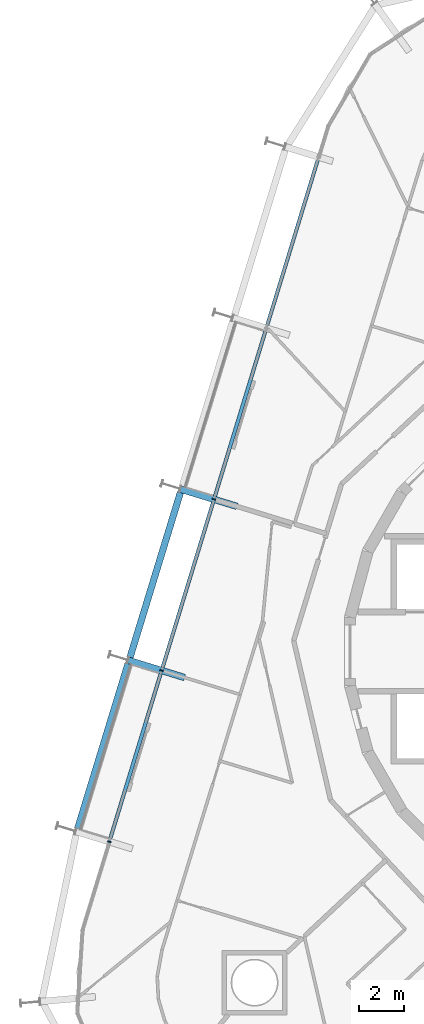
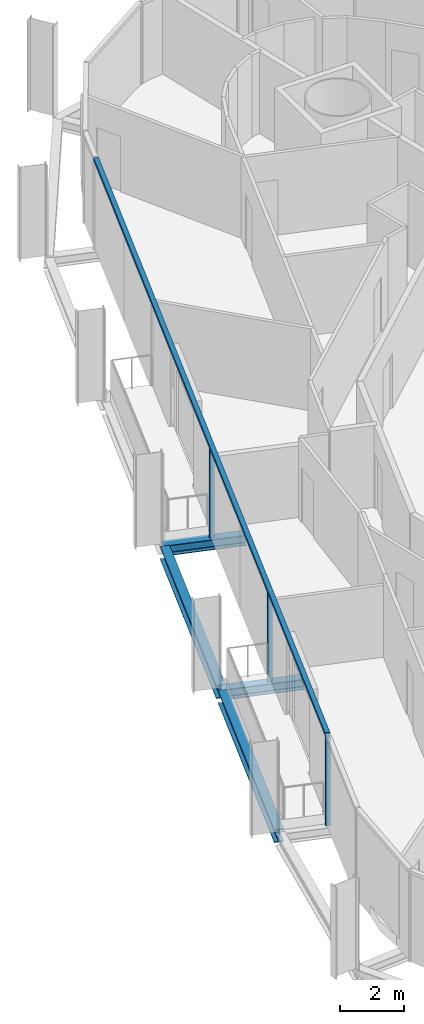
# One storey, part 5 of 18: 4 beams, 4 members, 2 elements without a shape of their own.
"""IFC4 building model written with IfcOpenShell, lengths in metres."""

from ifc_helpers import new_model, si_unit, direction, frame, origin, origin_2d, place, context, subcontext, project, spatial, rectangle, i_section, extrude, material, layer, layer_set, material_profile, profile_set, type_object, element, aggregate, save


model = new_model("IFC4")

# Units and contexts
model_context = context("Model", 3, precision=1e-05, world=origin(), true_north=direction((0.0, 1.0)))
body_context = subcontext(model_context, "Body", "Model", "MODEL_VIEW")
ifc_project = project(units=[si_unit("LENGTHUNIT", "METRE"), si_unit("AREAUNIT", "SQUARE_METRE"), si_unit("VOLUMEUNIT", "CUBIC_METRE"), si_unit("PLANEANGLEUNIT", "RADIAN"), si_unit("MASSUNIT", "GRAM", prefix="KILO")], contexts=[model_context])

# Site, building, storey
site_placement = place(None, origin())
site = spatial("IfcSite", under=ifc_project, at=site_placement, CompositionType="ELEMENT")
building_placement = place(site_placement, origin())
building = spatial("IfcBuilding", under=site, at=building_placement, Name="Spindle Arch Residences", CompositionType="ELEMENT")
storey_placement = place(building_placement, frame((0.0, 0.0, 137.89990234375)))
storey = spatial("IfcBuildingStorey", under=building, at=storey_placement, Name="L34", CompositionType="ELEMENT", Elevation=137.89990234375)

# Curtain wall, members
ifc_material_1 = material(Name="Aluminium bronze unitised frame with tinted glass", Category="aluminium")
ifc_layer_1 = layer(ifc_material_1, 0.159912109375)
ifc_layer_set_1 = layer_set([ifc_layer_1], Name="CW-C typical residential unitised wall")
curtain_wall_type_1 = type_object("IfcCurtainWallType", Name="CW-C typical residential unitised wall", PredefinedType="NOTDEFINED", material=ifc_layer_set_1)
curtain_wall_1_placement = place(storey_placement, origin())
curtain_wall_1 = element("IfcCurtainWall", 1, at=curtain_wall_1_placement, inside=storey, type_object=curtain_wall_type_1, Name="CW-C L34 run 4", PredefinedType="NOTDEFINED")
ifc_material_2 = material(Name="Aluminium bronze anodised mullion", Category="aluminium")
ifc_material_profile_1 = material_profile(ifc_material_2, rectangle(XDim=0.159912109375, YDim=0.06005859375, at=origin_2d()), Name="MU 60x160")
ifc_profile_set_1 = profile_set([ifc_material_profile_1], Name="Aluminium bronze anodised mullion")
member_type_1 = type_object("IfcMemberType", Name="Bronze mullion 60x160", PredefinedType="MULLION", material=ifc_profile_set_1)
member_1_placement = place(storey_placement, frame((-17.750732421875, 6.826171875, -0.3798828125), z_axis=(0.0, 0.0, 1.0), x_axis=(0.956304755963, -0.292371704723, 0.0)))
member_1 = element("IfcMember", 2, at=member_1_placement, type_object=member_type_1, Name="CW-C mullion 14", PredefinedType="MULLION", context=body_context, shape_type="SweptSolid", body=[
    extrude(rectangle(XDim=0.159912109375, YDim=0.06005859375, at=origin_2d()), origin(), (0.0, 0.0, 1.0), 3.3798828125),
])
member_2_placement = place(storey_placement, frame((-20.09814453125, -0.85205078125, -0.3798828125), z_axis=(0.0, 0.0, 1.0), x_axis=(0.956304755963, -0.292371704723, 0.0)))
member_2 = element("IfcMember", 3, at=member_2_placement, type_object=member_type_1, Name="CW-C mullion 15", PredefinedType="MULLION", context=body_context, shape_type="SweptSolid", body=[
    extrude(rectangle(XDim=0.159912109375, YDim=0.06005859375, at=origin_2d()), origin(), (0.0, 0.0, 1.0), 3.3798828125),
])

# Curtain wall, member
ifc_material_3 = material(Name="Aluminium bronze unitised frame with tinted glass", Category="aluminium")
ifc_layer_2 = layer(ifc_material_3, 0.159912109375)
ifc_layer_set_2 = layer_set([ifc_layer_2], Name="CW-D corner wall on the fillet arcs")
curtain_wall_type_2 = type_object("IfcCurtainWallType", Name="CW-D corner wall on the fillet arcs", PredefinedType="NOTDEFINED", material=ifc_layer_set_2)
curtain_wall_2_placement = place(storey_placement, origin())
curtain_wall_2 = element("IfcCurtainWall", 4, at=curtain_wall_2_placement, inside=storey, type_object=curtain_wall_type_2, Name="CW-D L34 run 5", PredefinedType="NOTDEFINED")
member_3_placement = place(storey_placement, frame((-22.44580078125, -8.5302734375, -0.3798828125), z_axis=(0.0, 0.0, 1.0), x_axis=(0.956304755963, -0.292371704723, 0.0)))
member_3 = element("IfcMember", 5, at=member_3_placement, type_object=member_type_1, Name="CW-D mullion 00", PredefinedType="MULLION", context=body_context, shape_type="SweptSolid", body=[
    extrude(rectangle(XDim=0.159912109375, YDim=0.06005859375, at=origin_2d()), origin(), (0.0, 0.0, 1.0), 3.3798828125),
])
aggregate(curtain_wall_2, [member_3])

# Member
ifc_material_4 = material(Name="Aluminium bronze anodised transom", Category="aluminium")
ifc_material_profile_2 = material_profile(ifc_material_4, rectangle(XDim=0.159912109375, YDim=0.1201171875, at=origin_2d()), Name="TR 120x160")
ifc_profile_set_2 = profile_set([ifc_material_profile_2], Name="Aluminium bronze anodised transom")
member_type_2 = type_object("IfcMemberType", Name="Bronze transom 120x160", PredefinedType="USERDEFINED", material=ifc_profile_set_2)
member_4_placement = place(storey_placement, frame((-13.064453125, 22.154296875, 3.06005859375), z_axis=(-0.292373902287, -0.956304084097, 0.0), x_axis=(0.956304084097, -0.292373902287, 0.0)))
member_4 = element("IfcMember", 6, at=member_4_placement, type_object=member_type_2, Name="CW-C transom 00", ObjectType="TRANSOM", PredefinedType="USERDEFINED", context=body_context, shape_type="SweptSolid", body=[
    extrude(rectangle(XDim=0.159912109375, YDim=0.1201171875, at=origin_2d()), origin(), (0.0, 0.0, 1.0), 32.056640625),
])

aggregate(curtain_wall_1, [member_4, member_1, member_2])

# Beams
ifc_material_5 = material(Name="Steel S460ML, intumescent coating R 120", Category="steel")
ifc_material_profile_3 = material_profile(ifc_material_5, i_section(OverallWidth=0.300048828125, OverallDepth=0.5, WebThickness=0.014404296875, FlangeThickness=0.028076171875, FilletRadius=0.027099609375, at=origin_2d()), Name="HEB 500")
ifc_profile_set_3 = profile_set([ifc_material_profile_3], Name="Steel S460ML, intumescent coating R 120")
beam_type_1 = type_object("IfcBeamType", Name="Exoskeleton edge beam HEB 500", PredefinedType="BEAM", material=ifc_profile_set_3)
beam_1_placement = place(storey_placement, frame((-19.251708984375, 7.1494140625, -0.6298828125), z_axis=(-0.292363030977, -0.95630740775, 0.0), x_axis=(0.95630740775, -0.292363030977, 0.0)))
element("IfcBeam", 7, at=beam_1_placement, inside=storey, type_object=beam_type_1, Name="Exoskeleton edge beam 15", PredefinedType="BEAM", context=body_context, shape_type="SweptSolid", body=[
    extrude(i_section(OverallWidth=0.300048828125, OverallDepth=0.5, WebThickness=0.014404296875, FlangeThickness=0.028076171875, FilletRadius=0.027099609375, at=origin_2d()), origin(), (0.0, 0.0, 1.0), 7.769287109375),
])
beam_2_placement = place(storey_placement, frame((-21.599365234375, -0.529052734375, -0.6298828125), z_axis=(-0.292371816855, -0.956304721681, 0.0), x_axis=(0.956304721681, -0.292371816855, 0.0)))
element("IfcBeam", 8, at=beam_2_placement, inside=storey, type_object=beam_type_1, Name="Exoskeleton edge beam 16", PredefinedType="BEAM", context=body_context, shape_type="SweptSolid", body=[
    extrude(i_section(OverallWidth=0.300048828125, OverallDepth=0.5, WebThickness=0.014404296875, FlangeThickness=0.028076171875, FilletRadius=0.027099609375, at=origin_2d()), origin(), (0.0, 0.0, 1.0), 7.76904296875),
])
ifc_material_6 = material(Name="Steel S460ML, intumescent coating R 120", Category="steel")
ifc_material_profile_4 = material_profile(ifc_material_6, i_section(OverallWidth=0.300048828125, OverallDepth=0.389892578125, WebThickness=0.010986328125, FlangeThickness=0.01904296875, FilletRadius=0.027099609375, at=origin_2d()), Name="HEA 400")
ifc_profile_set_4 = profile_set([ifc_material_profile_4], Name="Steel S460ML, intumescent coating R 120")
beam_type_2 = type_object("IfcBeamType", Name="Floor outrigger HEA 400", PredefinedType="BEAM", material=ifc_profile_set_4)
for number, where, z_axis, x_axis, name in (
    (9, (-19.252197265625, 7.285400390625, -0.574951171875), (0.956291475666, -0.292415139091, 0.0), (0.292415139091, 0.956291475666, 0.0), "Floor outrigger 15"),
    (10, (-21.599609375, -0.39306640625, -0.574951171875), (0.956291475666, -0.292415139091, 0.0), (0.292415139091, 0.956291475666, 0.0), "Floor outrigger 16"),
):
    element("IfcBeam", number, at=place(storey_placement, frame(where, z_axis=z_axis, x_axis=x_axis)), inside=storey, type_object=beam_type_2, Name=name, PredefinedType="BEAM", context=body_context, shape_type="SweptSolid", body=[
        extrude(i_section(OverallWidth=0.300048828125, OverallDepth=0.389892578125, WebThickness=0.010986328125, FlangeThickness=0.01904296875, FilletRadius=0.027099609375, at=origin_2d()), origin(), (0.0, 0.0, 1.0), 2.64990234375),
    ])

save(model, "model.ifc")
